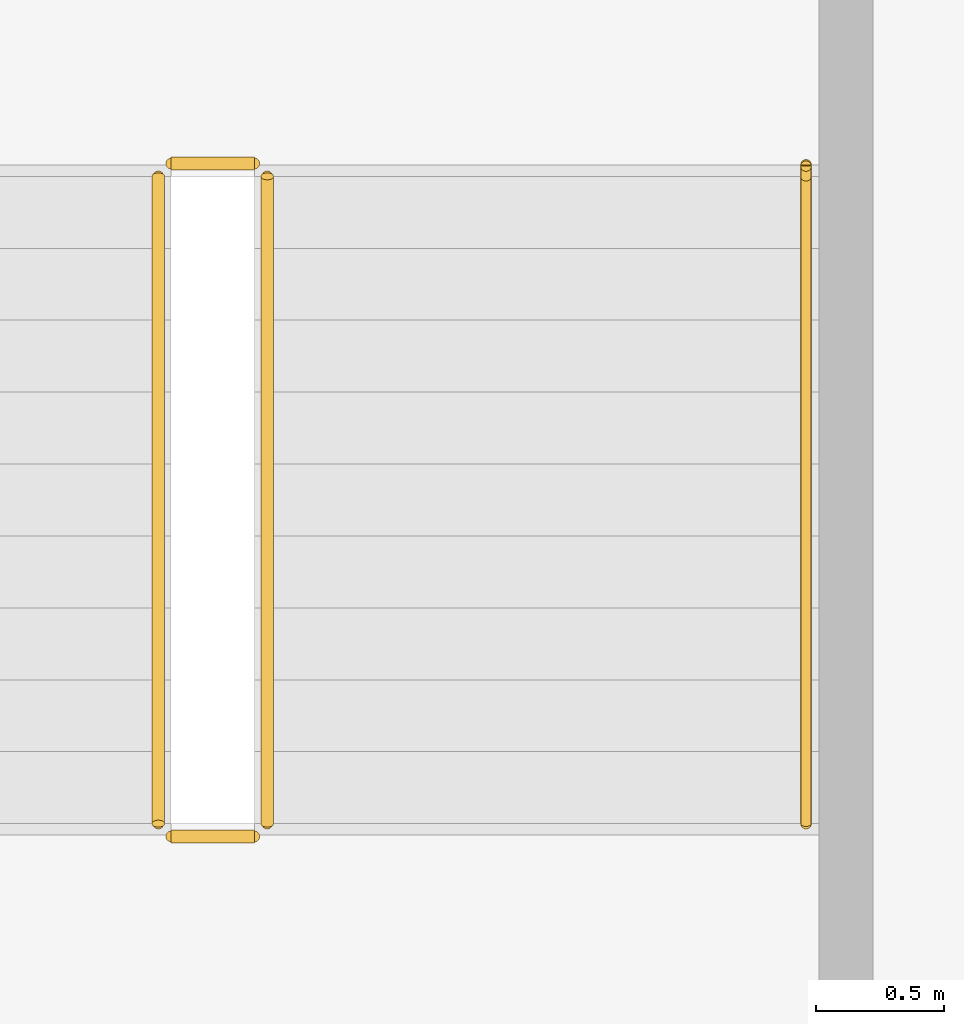
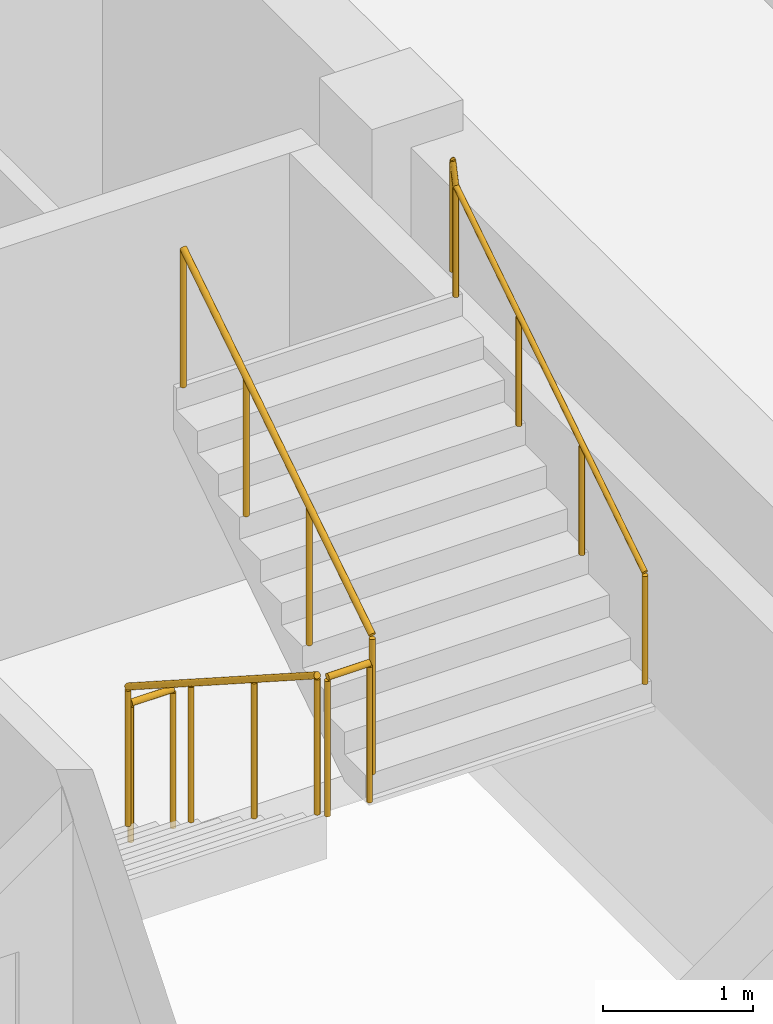
# One storey, part 7 of 7: 5 railings.
"""IFC4 building model written with IfcOpenShell, lengths in metres."""

from ifc_helpers import new_model, si_unit, direction, frame, origin, origin_2d, place, context, subcontext, project, spatial, circle, extrude, material, type_object, element, save


model = new_model("IFC4")

# Units and contexts
model_context = context("Model", 3, precision=1e-05, world=origin(), true_north=direction((0.0, 1.0)))
body_context = subcontext(model_context, "Body", "Model", "MODEL_VIEW")
ifc_project = project(units=[si_unit("LENGTHUNIT", "METRE"), si_unit("AREAUNIT", "SQUARE_METRE"), si_unit("VOLUMEUNIT", "CUBIC_METRE"), si_unit("PLANEANGLEUNIT", "RADIAN"), si_unit("MASSUNIT", "GRAM", prefix="KILO")], contexts=[model_context])

# Site, building, storey
site_placement = place(None, origin())
site = spatial("IfcSite", under=ifc_project, at=site_placement, CompositionType="ELEMENT")
building_placement = place(site_placement, origin())
building = spatial("IfcBuilding", under=site, at=building_placement, Name="Velakula Bourse", CompositionType="ELEMENT")
storey_placement = place(building_placement, frame((0.0, 0.0, 294.14990234375)))
storey = spatial("IfcBuildingStorey", under=building, at=storey_placement, Name="L80", CompositionType="ELEMENT", Elevation=294.14990234375)

# Railings
ifc_material = material(Name="Brushed grade 316 stainless steel", Category="steel")
railing_type_1 = type_object("IfcRailingType", Name="RLG-STAIR-GUARD-1150", PredefinedType="BALUSTRADE", material=ifc_material)
railing_1_placement = place(storey_placement, frame((15.248046875, -2.199951171875, 0.18017578125)))
element("IfcRailing", 1, at=railing_1_placement, inside=storey, type_object=railing_type_1, Name="L80 ST-E1 stair guard 1", PredefinedType="BALUSTRADE", context=body_context, shape_type="SweptSolid", body=[
    extrude(circle(Radius=0.02490234375, at=origin_2d()), frame((0.0, 0.0, 1.125), z_axis=(0.0, -0.841199657755, 0.540724639528), x_axis=(1.0, 0.0, 0.0)), (0.0, 0.0, 1.0), 2.995849609375),
    extrude(circle(Radius=0.02099609375, at=origin_2d()), origin(), (0.0, 0.0, 1.0), 1.099853515625),
    extrude(circle(Radius=0.02099609375, at=origin_2d()), frame((0.0, -0.840087890625, 0.5400390625)), (0.0, 0.0, 1.0), 1.099853515625),
    extrude(circle(Radius=0.02099609375, at=origin_2d()), frame((0.0, -1.679931640625, 1.079833984375)), (0.0, 0.0, 1.0), 1.099853515625),
    extrude(circle(Radius=0.02099609375, at=origin_2d()), frame((0.0, -2.52001953125, 1.619873046875)), (0.0, 0.0, 1.0), 1.099853515625),
])
railing_2_placement = place(storey_placement, frame((15.298095703125, -4.77001953125, 1.800048828125)))
element("IfcRailing", 2, at=railing_2_placement, inside=storey, type_object=railing_type_1, Name="L80 ST-E1 stair guard 2", PredefinedType="BALUSTRADE", context=body_context, shape_type="SweptSolid", body=[
    extrude(circle(Radius=0.02490234375, at=origin_2d()), frame((0.0, 0.0, 1.125), z_axis=(1.0, 0.0, 0.0), x_axis=(0.0, 1.0, 0.0)), (0.0, 0.0, 1.0), 0.323974609375),
    extrude(circle(Radius=0.02099609375, at=origin_2d()), origin(), (0.0, 0.0, 1.0), 1.099853515625),
    extrude(circle(Radius=0.02099609375, at=origin_2d()), frame((0.323974609375, 0.0, 0.0)), (0.0, 0.0, 1.0), 1.099853515625),
])
railing_3_placement = place(storey_placement, frame((15.672119140625, -4.719970703125, 1.97998046875)))
element("IfcRailing", 3, at=railing_3_placement, inside=storey, type_object=railing_type_1, Name="L80 ST-E1 stair guard 3", PredefinedType="BALUSTRADE", context=body_context, shape_type="SweptSolid", body=[
    extrude(circle(Radius=0.02490234375, at=origin_2d()), frame((0.0, 0.0, 1.125), z_axis=(0.0, 0.841162588446, 0.540782303519), x_axis=(-1.0, 0.0, 0.0)), (0.0, 0.0, 1.0), 2.995849609375),
    extrude(circle(Radius=0.02099609375, at=origin_2d()), origin(), (0.0, 0.0, 1.0), 1.099853515625),
    extrude(circle(Radius=0.02099609375, at=origin_2d()), frame((0.0, 0.840087890625, 0.5400390625)), (0.0, 0.0, 1.0), 1.099853515625),
    extrude(circle(Radius=0.02099609375, at=origin_2d()), frame((0.0, 1.679931640625, 1.080078125)), (0.0, 0.0, 1.0), 1.099853515625),
    extrude(circle(Radius=0.02099609375, at=origin_2d()), frame((0.0, 2.52001953125, 1.6201171875)), (0.0, 0.0, 1.0), 1.099853515625),
])
railing_4_placement = place(storey_placement, frame((15.298095703125, -2.14990234375, 0.0)))
element("IfcRailing", 4, at=railing_4_placement, inside=storey, type_object=railing_type_1, Name="L80 ST-E1 stair guard 4", PredefinedType="BALUSTRADE", context=body_context, shape_type="SweptSolid", body=[
    extrude(circle(Radius=0.02490234375, at=origin_2d()), frame((0.0, 0.0, 1.125), z_axis=(1.0, 0.0, 0.0), x_axis=(0.0, 1.0, 0.0)), (0.0, 0.0, 1.0), 0.323974609375),
    extrude(circle(Radius=0.02099609375, at=origin_2d()), origin(), (0.0, 0.0, 1.0), 1.099853515625),
    extrude(circle(Radius=0.02099609375, at=origin_2d()), frame((0.323974609375, 0.0, 0.0)), (0.0, 0.0, 1.0), 1.099853515625),
])
railing_type_2 = type_object("IfcRailingType", Name="RLG-STAIR-HAND-920", PredefinedType="HANDRAIL", material=ifc_material)
railing_5_placement = place(storey_placement, frame((17.77001953125, -4.719970703125, 1.97998046875)))
element("IfcRailing", 5, at=railing_5_placement, inside=storey, type_object=railing_type_2, Name="L80 ST-E1 stair handrail 2", PredefinedType="HANDRAIL", context=body_context, shape_type="SweptSolid", body=[
    extrude(circle(Radius=0.02099609375, at=origin_2d()), frame((0.0, 0.0, 0.89892578125), z_axis=(0.0, 0.841162588446, 0.540782303519), x_axis=(-1.0, 0.0, 0.0)), (0.0, 0.0, 1.0), 2.995849609375),
    extrude(circle(Radius=0.02099609375, at=origin_2d()), frame((0.0, 2.52001953125, 2.51904296875), z_axis=(0.0, 0.217210922078, 0.976124692511), x_axis=(-1.0, 0.0, 0.0)), (0.0, 0.0, 1.0), 0.184326171875),
    extrude(circle(Radius=0.02099609375, at=origin_2d()), frame((0.0, 2.56005859375, 2.698974609375), z_axis=(0.0, 1.0, 0.0), x_axis=(-1.0, 0.0, 0.0)), (0.0, 0.0, 1.0), 0.0048828125),
    extrude(circle(Radius=0.02099609375, at=origin_2d()), origin(), (0.0, 0.0, 1.0), 0.8779296875),
    extrude(circle(Radius=0.02099609375, at=origin_2d()), frame((0.0, 0.840087890625, 0.5400390625)), (0.0, 0.0, 1.0), 0.8779296875),
    extrude(circle(Radius=0.02099609375, at=origin_2d()), frame((0.0, 1.679931640625, 1.080078125)), (0.0, 0.0, 1.0), 0.8779296875),
    extrude(circle(Radius=0.02099609375, at=origin_2d()), frame((0.0, 2.52001953125, 1.6201171875)), (0.0, 0.0, 1.0), 0.8779296875),
    extrude(circle(Radius=0.02099609375, at=origin_2d()), frame((0.0, 2.56005859375, 1.800048828125)), (0.0, 0.0, 1.0), 0.8779296875),
    extrude(circle(Radius=0.02099609375, at=origin_2d()), frame((0.0, 2.56494140625, 1.800048828125)), (0.0, 0.0, 1.0), 0.8779296875),
])

save(model, "model.ifc")
